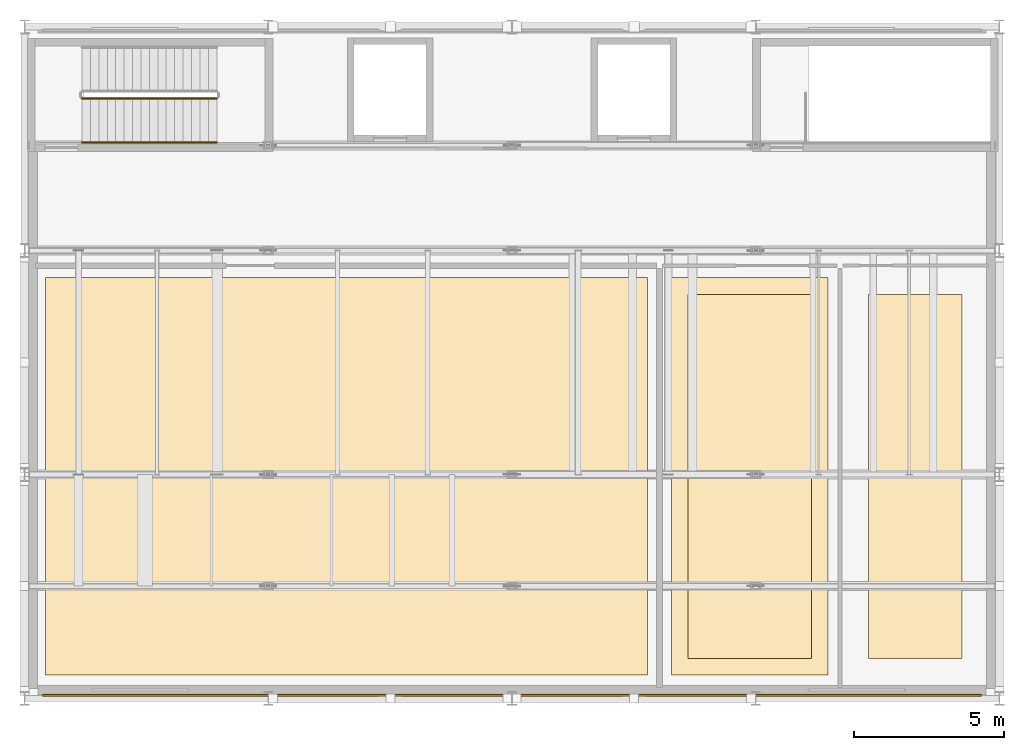
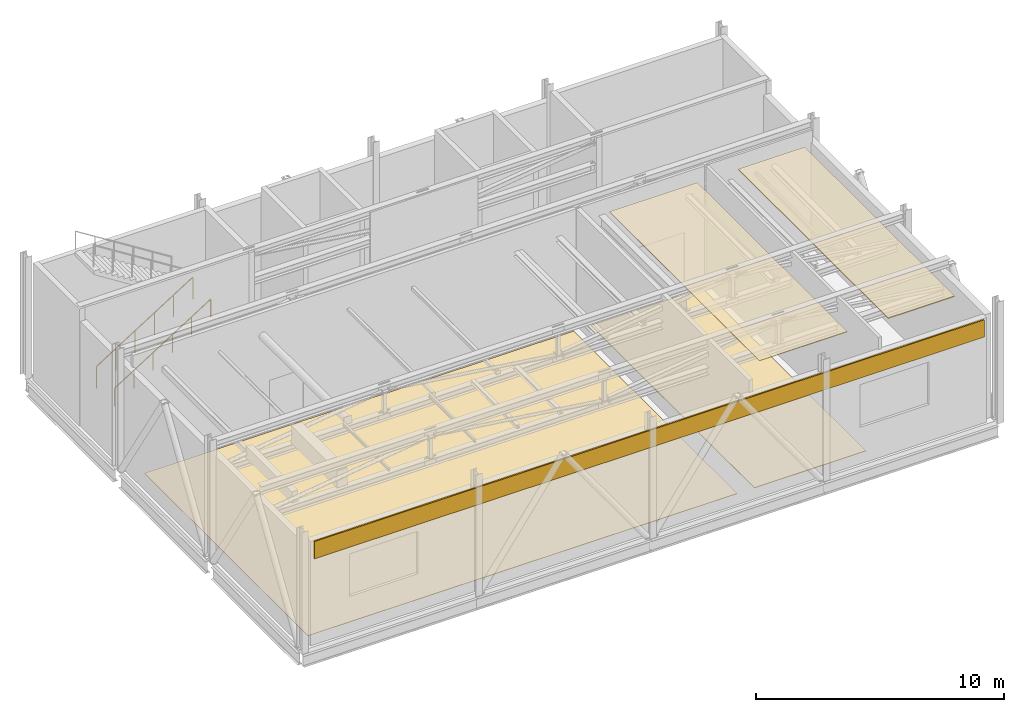
# One storey, part 20 of 21: 5 coverings, 2 railings.
"""IFC4 building model written with IfcOpenShell, lengths in metres."""

from ifc_helpers import new_model, si_unit, direction, frame, origin, origin_2d, place, context, subcontext, project, spatial, polyline, rectangle, circle, outline, extrude, material, layer, layer_set, type_object, element, save


model = new_model("IFC4")

# Units and contexts
model_context = context("Model", 3, precision=1e-05, world=origin(), true_north=direction((0.0, 1.0)))
body_context = subcontext(model_context, "Body", "Model", "MODEL_VIEW")
ifc_project = project(units=[si_unit("LENGTHUNIT", "METRE"), si_unit("AREAUNIT", "SQUARE_METRE"), si_unit("VOLUMEUNIT", "CUBIC_METRE"), si_unit("PLANEANGLEUNIT", "RADIAN"), si_unit("MASSUNIT", "GRAM", prefix="KILO")], contexts=[model_context])

# Site, building, storey
site_placement = place(None, origin())
site = spatial("IfcSite", under=ifc_project, at=site_placement, CompositionType="ELEMENT")
building_placement = place(site_placement, origin())
building = spatial("IfcBuilding", under=site, at=building_placement, Name="Kaelora Sail Theatre", CompositionType="ELEMENT")
storey_placement = place(building_placement, frame((0.0, 0.0, 27.60009765625)))
storey = spatial("IfcBuildingStorey", under=building, at=storey_placement, Name="L06", CompositionType="ELEMENT", Elevation=27.60009765625)

# Coverings
ifc_material_1 = material(Name="Micro-perforated timber acoustic reflector", Category="wood")
ifc_layer_1 = layer(ifc_material_1, 0.050048828125)
ifc_layer_set_1 = layer_set([ifc_layer_1], Name="Micro-perforated timber acoustic reflector")
covering_type_1 = type_object("IfcCoveringType", Name="ARC-COV-CLG-AC-50", PredefinedType="CEILING", material=ifc_layer_set_1)
covering_1_placement = place(storey_placement, frame((0.0, 0.0, 5.71484375)))
element("IfcCovering", 1, at=covering_1_placement, inside=storey, type_object=covering_type_1, Name="Acoustic ceiling L06-RIG-OFC", PredefinedType="CEILING", context=body_context, shape_type="SweptSolid", body=[
    extrude(outline(polyline([(53.85009765625, 62.35009765625), (56.949951171875, 62.35009765625), (56.949951171875, 74.449951171875), (53.85009765625, 74.449951171875), (53.85009765625, 62.35009765625)])), origin(), (0.0, 0.0, 1.0), 0.050048828125),
])
ifc_material_2 = material(Name="Suspended acoustic mineral-fibre ceiling", Category="gypsum")
ifc_layer_2 = layer(ifc_material_2, 0.034912109375)
ifc_layer_set_2 = layer_set([ifc_layer_2], Name="Suspended acoustic mineral-fibre ceiling")
covering_type_2 = type_object("IfcCoveringType", Name="ARC-COV-CLG-GYP-35", PredefinedType="CEILING", material=ifc_layer_set_2)
covering_2_placement = place(storey_placement, frame((0.0, 0.0, 5.72998046875)))
element("IfcCovering", 2, at=covering_2_placement, inside=storey, type_object=covering_type_2, Name="Acoustic ceiling L06-HEAD-WCH", PredefinedType="CEILING", context=body_context, shape_type="SweptSolid", body=[
    extrude(outline(polyline([(47.85009765625, 62.35009765625), (51.949951171875, 62.35009765625), (51.949951171875, 74.449951171875), (47.85009765625, 74.449951171875), (47.85009765625, 62.35009765625)])), origin(), (0.0, 0.0, 1.0), 0.034912109375),
])
ifc_material_3 = material(Name="Acoustic rubber backstage studio flooring", Category="rubber")
ifc_layer_3 = layer(ifc_material_3, 0.02197265625)
ifc_layer_set_3 = layer_set([ifc_layer_3], Name="Acoustic rubber backstage studio flooring")
covering_type_3 = type_object("IfcCoveringType", Name="ARC-COV-FLR-AC-22", PredefinedType="FLOORING", material=ifc_layer_set_3)
covering_3_placement = place(storey_placement, origin())
element("IfcCovering", 3, at=covering_3_placement, inside=storey, type_object=covering_type_3, Name="Architectural flooring L06-GRID-MAIN", PredefinedType="FLOORING", context=body_context, shape_type="SweptSolid", body=[
    extrude(outline(polyline([(26.5, 61.800048828125), (46.5, 61.800048828125), (46.5, 75.0), (26.5, 75.0), (26.5, 61.800048828125)])), origin(), (0.0, 0.0, 1.0), 0.02197265625),
])
ifc_material_4 = material(Name="Sprung West African iroko stage and dance floor", Category="timber")
ifc_layer_4 = layer(ifc_material_4, 0.028076171875)
ifc_layer_set_4 = layer_set([ifc_layer_4], Name="Sprung West African iroko stage and dance floor")
covering_type_4 = type_object("IfcCoveringType", Name="ARC-COV-FLR-OAK-28", PredefinedType="FLOORING", material=ifc_layer_set_4)
covering_4_placement = place(storey_placement, origin())
element("IfcCovering", 4, at=covering_4_placement, inside=storey, type_object=covering_type_4, Name="Architectural flooring L06-HEAD-WCH", PredefinedType="FLOORING", context=body_context, shape_type="SweptSolid", body=[
    extrude(outline(polyline([(47.300048828125, 61.800048828125), (52.5, 61.800048828125), (52.5, 75.0), (47.300048828125, 75.0), (47.300048828125, 61.800048828125)])), origin(), (0.0, 0.0, 1.0), 0.02783203125),
])
ifc_material_5 = material(Name="Warm terracotta acoustic Postmodern facade entablature", Category="masonry")
ifc_layer_5 = layer(ifc_material_5, 0.06494140625)
ifc_layer_set_5 = layer_set([ifc_layer_5], Name="Warm terracotta acoustic Postmodern facade entablature")
covering_type_5 = type_object("IfcCoveringType", Name="ARC-COV-TRC", PredefinedType="CLADDING", material=ifc_layer_set_5)
covering_5_placement = place(storey_placement, frame((42.0, 61.1201171875, 4.27490234375), z_axis=(0.0, 0.0, 1.0), x_axis=(1.0, 0.0, 0.0)))
element("IfcCovering", 5, at=covering_5_placement, inside=storey, type_object=covering_type_5, Name="Fly Tower South Terracotta Frieze Band (L06)", PredefinedType="CLADDING", context=body_context, shape_type="SweptSolid", body=[
    extrude(rectangle(XDim=31.199951171875, YDim=0.06494140625, at=origin_2d()), origin(), (0.0, 0.0, 1.0), 0.85009765625),
])

# Railings
ifc_material_6 = material(Name="Painted steel and laminated safety glass guard", Category="steel")
railing_type_1 = type_object("IfcRailingType", Name="ARC-RL-GRD", PredefinedType="GUARDRAIL", material=ifc_material_6)
railing_1_placement = place(storey_placement, frame((27.7099609375, 80.949951171875, 0.17626953125)))
element("IfcRailing", 6, at=railing_1_placement, inside=storey, type_object=railing_type_1, Name="L06 ST-K1 stair guard 1", PredefinedType="GUARDRAIL", context=body_context, shape_type="SweptSolid", body=[
    extrude(circle(Radius=0.02392578125, at=origin_2d()), frame((0.0, 0.0, 1.076171875), z_axis=(0.845977142166, 0.0, 0.533219162196), x_axis=(0.0, 1.0, 0.0)), (0.0, 0.0, 1.0), 5.295654296875),
    extrude(circle(Radius=0.02099609375, at=origin_2d()), origin(), (0.0, 0.0, 1.0), 1.052001953125),
    extrude(circle(Radius=0.02099609375, at=origin_2d()), frame((0.89599609375, 0.0, 0.564697265625)), (0.0, 0.0, 1.0), 1.052001953125),
    extrude(circle(Radius=0.02099609375, at=origin_2d()), frame((1.7919921875, 0.0, 1.12939453125)), (0.0, 0.0, 1.0), 1.052001953125),
    extrude(circle(Radius=0.02099609375, at=origin_2d()), frame((2.68798828125, 0.0, 1.6943359375)), (0.0, 0.0, 1.0), 1.052001953125),
    extrude(circle(Radius=0.02099609375, at=origin_2d()), frame((3.583984375, 0.0, 2.259033203125)), (0.0, 0.0, 1.0), 1.052001953125),
    extrude(circle(Radius=0.02099609375, at=origin_2d()), frame((4.47998046875, 0.0, 2.82373046875)), (0.0, 0.0, 1.0), 1.052001953125),
])
ifc_material_7 = material(Name="Brushed stainless steel 316L tubular handrail", Category="steel")
railing_type_2 = type_object("IfcRailingType", Name="ARC-RL-HND", PredefinedType="HANDRAIL", material=ifc_material_7)
railing_2_placement = place(storey_placement, frame((27.7099609375, 79.5, 0.17626953125)))
element("IfcRailing", 7, at=railing_2_placement, inside=storey, type_object=railing_type_2, Name="L06 ST-K1 stair handrail 1", PredefinedType="HANDRAIL", context=body_context, shape_type="SweptSolid", body=[
    extrude(circle(Radius=0.02392578125, at=origin_2d()), frame((0.0, 0.0, 0.8759765625), z_axis=(0.845977142166, 0.0, 0.533219162196), x_axis=(0.0, 1.0, 0.0)), (0.0, 0.0, 1.0), 5.295654296875),
    extrude(circle(Radius=0.02099609375, at=origin_2d()), origin(), (0.0, 0.0, 1.0), 0.851806640625),
    extrude(circle(Radius=0.02099609375, at=origin_2d()), frame((0.89599609375, 0.0, 0.564697265625)), (0.0, 0.0, 1.0), 0.851806640625),
    extrude(circle(Radius=0.02099609375, at=origin_2d()), frame((1.7919921875, 0.0, 1.12939453125)), (0.0, 0.0, 1.0), 0.851806640625),
    extrude(circle(Radius=0.02099609375, at=origin_2d()), frame((2.68798828125, 0.0, 1.6943359375)), (0.0, 0.0, 1.0), 0.851806640625),
    extrude(circle(Radius=0.02099609375, at=origin_2d()), frame((3.583984375, 0.0, 2.259033203125)), (0.0, 0.0, 1.0), 0.851806640625),
    extrude(circle(Radius=0.02099609375, at=origin_2d()), frame((4.47998046875, 0.0, 2.82373046875)), (0.0, 0.0, 1.0), 0.851806640625),
])

save(model, "model.ifc")
